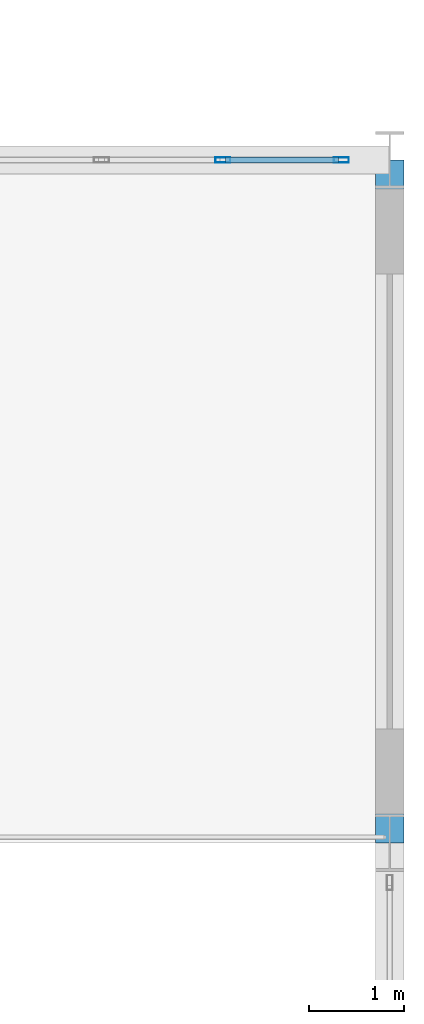
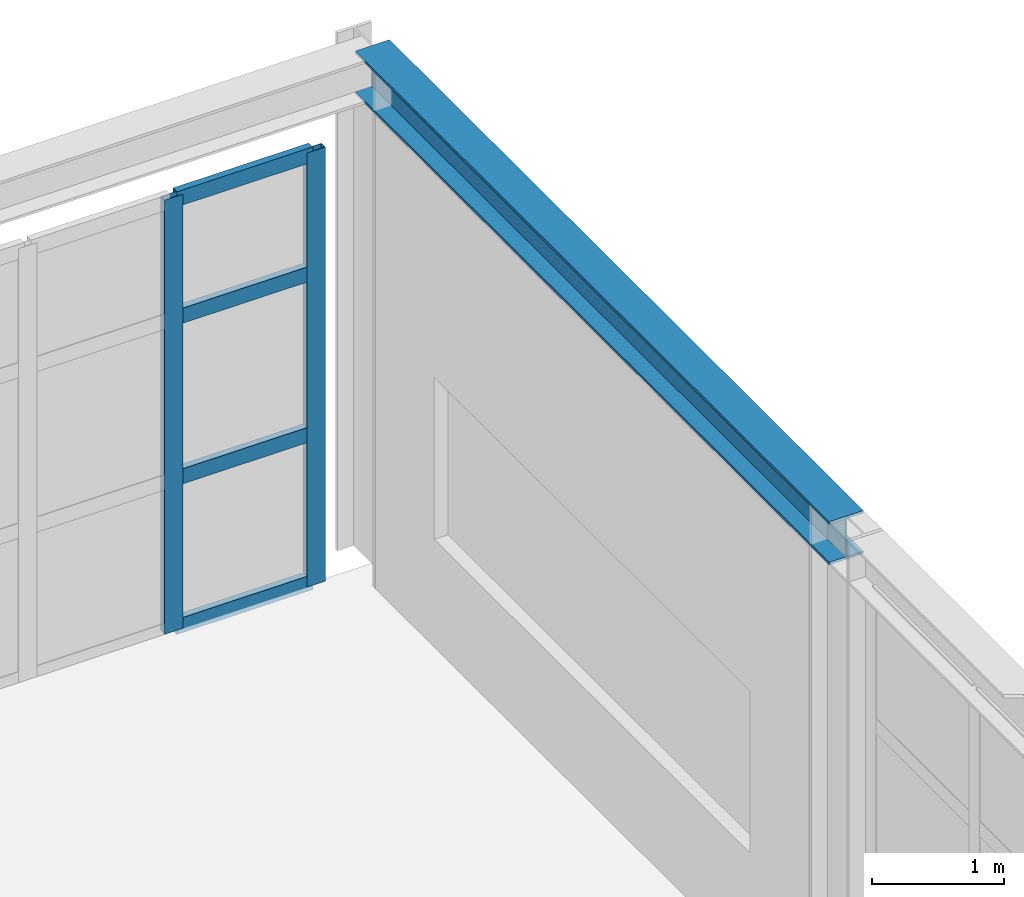
# One storey, part 69 of 126: 6 members, 1 beam, 1 element without a shape of its own.
"""IFC4 building model written with IfcOpenShell, lengths in metres."""

from ifc_helpers import new_model, si_unit, direction, frame, origin, origin_2d, place, context, subcontext, project, spatial, hollow_rectangle, i_section, extrude, material, layer, layer_set, material_profile, profile_set, type_object, element, aggregate, save


model = new_model("IFC4")

# Units and contexts
model_context = context("Model", 3, precision=1e-05, world=origin(), true_north=direction((0.0, 1.0)))
body_context = subcontext(model_context, "Body", "Model", "MODEL_VIEW")
ifc_project = project(units=[si_unit("LENGTHUNIT", "METRE"), si_unit("AREAUNIT", "SQUARE_METRE"), si_unit("VOLUMEUNIT", "CUBIC_METRE"), si_unit("PLANEANGLEUNIT", "RADIAN"), si_unit("MASSUNIT", "GRAM", prefix="KILO")], contexts=[model_context])

# Site, building, storey
site_placement = place(None, origin())
site = spatial("IfcSite", under=ifc_project, at=site_placement, CompositionType="ELEMENT")
building_placement = place(site_placement, origin())
building = spatial("IfcBuilding", under=site, at=building_placement, Name="Solvadek Multi-Sports Hall", CompositionType="ELEMENT")
storey_placement = place(building_placement, frame((0.0, 0.0, 9.60009765625)))
storey = spatial("IfcBuildingStorey", under=building, at=storey_placement, Name="L02", CompositionType="ELEMENT", Elevation=9.60009765625)

# Curtain wall, members
ifc_material_1 = material(Name="Anodised aluminium", Category="aluminium")
ifc_layer = layer(ifc_material_1, 0.159912109375, Name="Anodised aluminium")
ifc_layer_set = layer_set([ifc_layer], Name="Anodised aluminium")
curtain_wall_type = type_object("IfcCurtainWallType", Name="ENV-CW-384X403", PredefinedType="USERDEFINED", material=ifc_layer_set)
curtain_wall_placement = place(storey_placement, origin())
curtain_wall = element("IfcCurtainWall", 1, at=curtain_wall_placement, inside=storey, type_object=curtain_wall_type, Name="L02 Perimeter Bay Curtain Wall #142", ObjectType="CURTAIN WALL", PredefinedType="USERDEFINED")
ifc_material_profile_1 = material_profile(ifc_material_1, hollow_rectangle(XDim=0.06005859375, YDim=0.159912109375, WallThickness=0.00390625, at=origin_2d()), Name="ALU-M 160x60x4")
ifc_profile_set_1 = profile_set([ifc_material_profile_1], Name="Anodised aluminium")
member_type_1 = type_object("IfcMemberType", Name="ENV-CWM-01", PredefinedType="MULLION", material=ifc_profile_set_1)
member_1_placement = place(storey_placement, frame((159.639892578125, 70.800048828125, 0.0), z_axis=(0.0, 0.0, 1.0), x_axis=(0.0, 1.0, 0.0)))
member_1 = element("IfcMember", 2, at=member_1_placement, type_object=member_type_1, Name="CW-50 mullion 3", PredefinedType="MULLION", context=body_context, shape_type="SweptSolid", body=[
    extrude(hollow_rectangle(XDim=0.06005859375, YDim=0.159912109375, WallThickness=0.00390625, at=origin_2d()), origin(), (0.0, 0.0, 1.0), 4.02490234375),
])
member_2_placement = place(storey_placement, frame((160.889892578125, 70.800048828125, 0.0), z_axis=(0.0, 0.0, 1.0), x_axis=(0.0, 1.0, 0.0)))
member_2 = element("IfcMember", 3, at=member_2_placement, type_object=member_type_1, Name="CW-50 mullion 4", PredefinedType="MULLION", context=body_context, shape_type="SweptSolid", body=[
    extrude(hollow_rectangle(XDim=0.06005859375, YDim=0.159912109375, WallThickness=0.00390625, at=origin_2d()), origin(), (0.0, 0.0, 1.0), 4.02490234375),
])
ifc_material_profile_2 = material_profile(ifc_material_1, hollow_rectangle(XDim=0.06005859375, YDim=0.139892578125, WallThickness=0.00390625, at=origin_2d()), Name="ALU-T 140x60x4")
ifc_profile_set_2 = profile_set([ifc_material_profile_2], Name="Anodised aluminium")
member_type_2 = type_object("IfcMemberType", Name="ENV-CWT-02", PredefinedType="USERDEFINED", material=ifc_profile_set_2)
member_3_placement = place(storey_placement, frame((159.669921875, 70.800048828125, 0.02978515625), z_axis=(1.0, 0.0, 0.0), x_axis=(0.0, 1.0, 0.0)))
member_3 = element("IfcMember", 4, at=member_3_placement, type_object=member_type_2, Name="CW-50 transom 3.1", ObjectType="TRANSOM", PredefinedType="USERDEFINED", context=body_context, shape_type="SweptSolid", body=[
    extrude(hollow_rectangle(XDim=0.06005859375, YDim=0.139892578125, WallThickness=0.00390625, at=origin_2d()), origin(), (0.0, 0.0, 1.0), 1.190185546875),
])
member_4_placement = place(storey_placement, frame((159.669921875, 70.800048828125, 1.408935546875), z_axis=(1.0, 0.0, 0.0), x_axis=(0.0, 1.0, 0.0)))
member_4 = element("IfcMember", 5, at=member_4_placement, type_object=member_type_2, Name="CW-50 transom 3.2", ObjectType="TRANSOM", PredefinedType="USERDEFINED", context=body_context, shape_type="SweptSolid", body=[
    extrude(hollow_rectangle(XDim=0.06005859375, YDim=0.139892578125, WallThickness=0.00390625, at=origin_2d()), origin(), (0.0, 0.0, 1.0), 1.190185546875),
])
member_5_placement = place(storey_placement, frame((159.669921875, 70.800048828125, 2.89794921875), z_axis=(1.0, 0.0, 0.0), x_axis=(0.0, 1.0, 0.0)))
member_5 = element("IfcMember", 6, at=member_5_placement, type_object=member_type_2, Name="CW-50 transom 3.3", ObjectType="TRANSOM", PredefinedType="USERDEFINED", context=body_context, shape_type="SweptSolid", body=[
    extrude(hollow_rectangle(XDim=0.06005859375, YDim=0.139892578125, WallThickness=0.00390625, at=origin_2d()), origin(), (0.0, 0.0, 1.0), 1.190185546875),
])
member_6_placement = place(storey_placement, frame((159.669921875, 70.800048828125, 3.994873046875), z_axis=(1.0, 0.0, 0.0), x_axis=(0.0, 1.0, 0.0)))
member_6 = element("IfcMember", 7, at=member_6_placement, type_object=member_type_2, Name="CW-50 transom 3.4", ObjectType="TRANSOM", PredefinedType="USERDEFINED", context=body_context, shape_type="SweptSolid", body=[
    extrude(hollow_rectangle(XDim=0.06005859375, YDim=0.139892578125, WallThickness=0.00390625, at=origin_2d()), origin(), (0.0, 0.0, 1.0), 1.190185546875),
])
aggregate(curtain_wall, [member_1, member_2, member_3, member_4, member_5, member_6])

# Beam
ifc_material_2 = material(Name="Steel E350 (350 MPa)", Category="steel")
ifc_material_profile_3 = material_profile(ifc_material_2, i_section(OverallWidth=0.300048828125, OverallDepth=0.39990234375, WebThickness=0.013427734375, FlangeThickness=0.02392578125, at=origin_2d()), Name="WPB 400")
ifc_profile_set_3 = profile_set([ifc_material_profile_3], Name="Steel E350 (350 MPa)")
beam_type = type_object("IfcBeamType", Name="STR-SPN-WPB400", PredefinedType="SPANDREL", material=ifc_profile_set_3)
beam_placement = place(storey_placement, frame((161.39990234375, 63.60009765625, 4.599853515625), z_axis=(0.0, 1.0, 0.0), x_axis=(-1.0, 0.0, 0.0)))
element("IfcBeam", 8, at=beam_placement, inside=storey, type_object=beam_type, Name="L02 V2 East Spandrel #88", PredefinedType="SPANDREL", context=body_context, shape_type="SweptSolid", body=[
    extrude(i_section(OverallWidth=0.300048828125, OverallDepth=0.39990234375, WebThickness=0.013427734375, FlangeThickness=0.02392578125, at=origin_2d()), origin(), (0.0, 0.0, 1.0), 7.199951171875),
])

save(model, "model.ifc")
